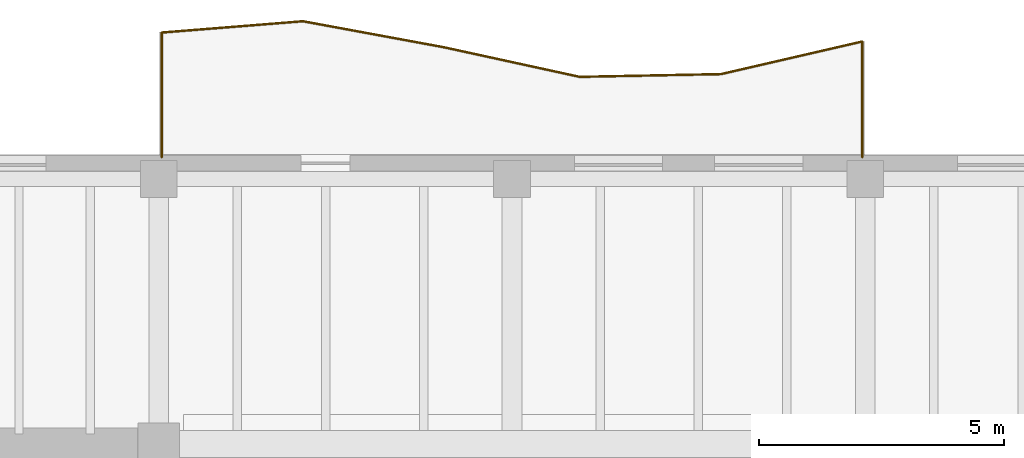
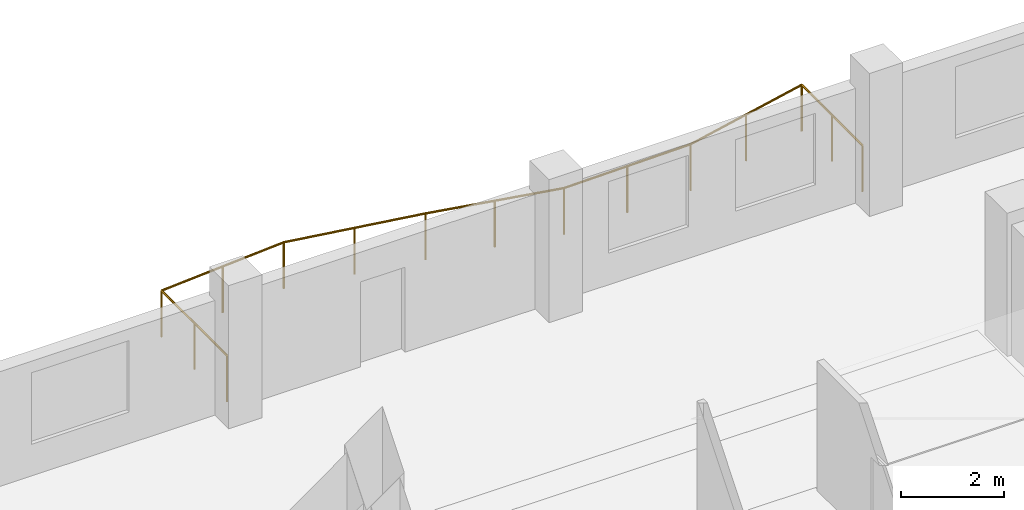
# One storey, part 10 of 11: 1 railing.
"""IFC4 building model written with IfcOpenShell, lengths in metres."""

from ifc_helpers import new_model, si_unit, direction, frame, origin, origin_2d, place, context, subcontext, project, spatial, circle, extrude, material, type_object, element, save


model = new_model("IFC4")

# Units and contexts
model_context = context("Model", 3, precision=1e-05, world=origin(), true_north=direction((0.0, 1.0)))
body_context = subcontext(model_context, "Body", "Model", "MODEL_VIEW")
ifc_project = project(units=[si_unit("LENGTHUNIT", "METRE"), si_unit("AREAUNIT", "SQUARE_METRE"), si_unit("VOLUMEUNIT", "CUBIC_METRE"), si_unit("PLANEANGLEUNIT", "RADIAN"), si_unit("MASSUNIT", "GRAM", prefix="KILO")], contexts=[model_context])

# Site, building, storey
site_placement = place(None, origin())
site = spatial("IfcSite", under=ifc_project, at=site_placement, CompositionType="ELEMENT")
building_placement = place(site_placement, origin())
building = spatial("IfcBuilding", under=site, at=building_placement, Name="Kranthara Brick Stack", CompositionType="ELEMENT")
storey_placement = place(building_placement, frame((0.0, 0.0, 217.699951171875)))
storey = spatial("IfcBuildingStorey", under=building, at=storey_placement, Name="L56", CompositionType="ELEMENT", Elevation=217.699951171875)

# Railing
ifc_material = material(Name="Bronze anodised aluminium and laminated glass balustrade", Category="aluminium")
railing_type = type_object("IfcRailingType", Name="RL-BALC-1120", PredefinedType="BALUSTRADE", material=ifc_material)
railing_placement = place(storey_placement, frame((20.860107421875, 39.43994140625, 0.0)))
element("IfcRailing", 1, at=railing_placement, inside=storey, type_object=railing_type, Name="L56 North Rippling Balcony Balustrade", PredefinedType="BALUSTRADE", context=body_context, shape_type="SweptSolid", body=[
    extrude(circle(Radius=0.02392578125, at=origin_2d()), frame((0.0, 0.0, 1.09619140625), z_axis=(-0.000191846519, 0.999999981597, 0.0), x_axis=(-0.999999981597, -0.000191846519, 0.0)), (0.0, 0.0, 1.0), 2.545166015625),
    extrude(circle(Radius=0.02392578125, at=origin_2d()), frame((-0.00048828125, 2.545166015625, 1.09619140625), z_axis=(0.996803169794, 0.079896437274, 0.0), x_axis=(-0.079896437274, 0.996803169794, 0.0)), (0.0, 0.0, 1.0), 2.8876953125),
    extrude(circle(Radius=0.02392578125, at=origin_2d()), frame((2.8779296875, 2.77587890625, 1.09619140625), z_axis=(0.983395240625, -0.181476722243, 0.0), x_axis=(0.181476722243, 0.983395240625, 0.0)), (0.0, 0.0, 1.0), 2.926025390625),
    extrude(circle(Radius=0.02392578125, at=origin_2d()), frame((5.75537109375, 2.244873046875, 1.09619140625), z_axis=(0.977042220339, -0.213045768967, 0.0), x_axis=(0.213045768967, 0.977042220339, 0.0)), (0.0, 0.0, 1.0), 2.829345703125),
    extrude(circle(Radius=0.02392578125, at=origin_2d()), frame((8.519775390625, 1.64208984375, 1.09619140625), z_axis=(0.999811645893, 0.019408058567, 0.0), x_axis=(-0.019408058567, 0.999811645893, 0.0)), (0.0, 0.0, 1.0), 2.880615234375),
    extrude(circle(Radius=0.02392578125, at=origin_2d()), frame((11.39990234375, 1.697998046875, 1.09619140625), z_axis=(0.974402330293, 0.224811251319, 0.0), x_axis=(-0.224811251319, 0.974402330293, 0.0)), (0.0, 0.0, 1.0), 2.9560546875),
    extrude(circle(Radius=0.02392578125, at=origin_2d()), frame((14.2802734375, 2.362548828125, 1.09619140625), z_axis=(-0.000206675618, -0.999999978643, 0.0), x_axis=(0.999999978643, -0.000206675618, 0.0)), (0.0, 0.0, 1.0), 2.362548828125),
    extrude(circle(Radius=0.02099609375, at=origin_2d()), origin(), (0.0, 0.0, 1.0), 1.072021484375),
    extrude(circle(Radius=0.02099609375, at=origin_2d()), frame((-0.000244140625, 1.2724609375, 0.0)), (0.0, 0.0, 1.0), 1.072021484375),
    extrude(circle(Radius=0.02099609375, at=origin_2d()), frame((-0.00048828125, 2.545166015625, 0.0)), (0.0, 0.0, 1.0), 1.072021484375),
    extrude(circle(Radius=0.02099609375, at=origin_2d()), frame((1.438720703125, 2.66064453125, 0.0)), (0.0, 0.0, 1.0), 1.072021484375),
    extrude(circle(Radius=0.02099609375, at=origin_2d()), frame((2.8779296875, 2.77587890625, 0.0)), (0.0, 0.0, 1.0), 1.072021484375),
    extrude(circle(Radius=0.02099609375, at=origin_2d()), frame((4.316650390625, 2.51025390625, 0.0)), (0.0, 0.0, 1.0), 1.072021484375),
    extrude(circle(Radius=0.02099609375, at=origin_2d()), frame((5.75537109375, 2.244873046875, 0.0)), (0.0, 0.0, 1.0), 1.072021484375),
    extrude(circle(Radius=0.02099609375, at=origin_2d()), frame((7.1376953125, 1.943359375, 0.0)), (0.0, 0.0, 1.0), 1.072021484375),
    extrude(circle(Radius=0.02099609375, at=origin_2d()), frame((8.519775390625, 1.64208984375, 0.0)), (0.0, 0.0, 1.0), 1.072021484375),
    extrude(circle(Radius=0.02099609375, at=origin_2d()), frame((9.9599609375, 1.669921875, 0.0)), (0.0, 0.0, 1.0), 1.072021484375),
    extrude(circle(Radius=0.02099609375, at=origin_2d()), frame((11.39990234375, 1.697998046875, 0.0)), (0.0, 0.0, 1.0), 1.072021484375),
    extrude(circle(Radius=0.02099609375, at=origin_2d()), frame((12.840087890625, 2.0302734375, 0.0)), (0.0, 0.0, 1.0), 1.072021484375),
    extrude(circle(Radius=0.02099609375, at=origin_2d()), frame((14.2802734375, 2.362548828125, 0.0)), (0.0, 0.0, 1.0), 1.072021484375),
    extrude(circle(Radius=0.02099609375, at=origin_2d()), frame((14.280029296875, 1.18115234375, 0.0)), (0.0, 0.0, 1.0), 1.072021484375),
    extrude(circle(Radius=0.02099609375, at=origin_2d()), frame((14.27978515625, 0.0, 0.0)), (0.0, 0.0, 1.0), 1.072021484375),
])

save(model, "model.ifc")
